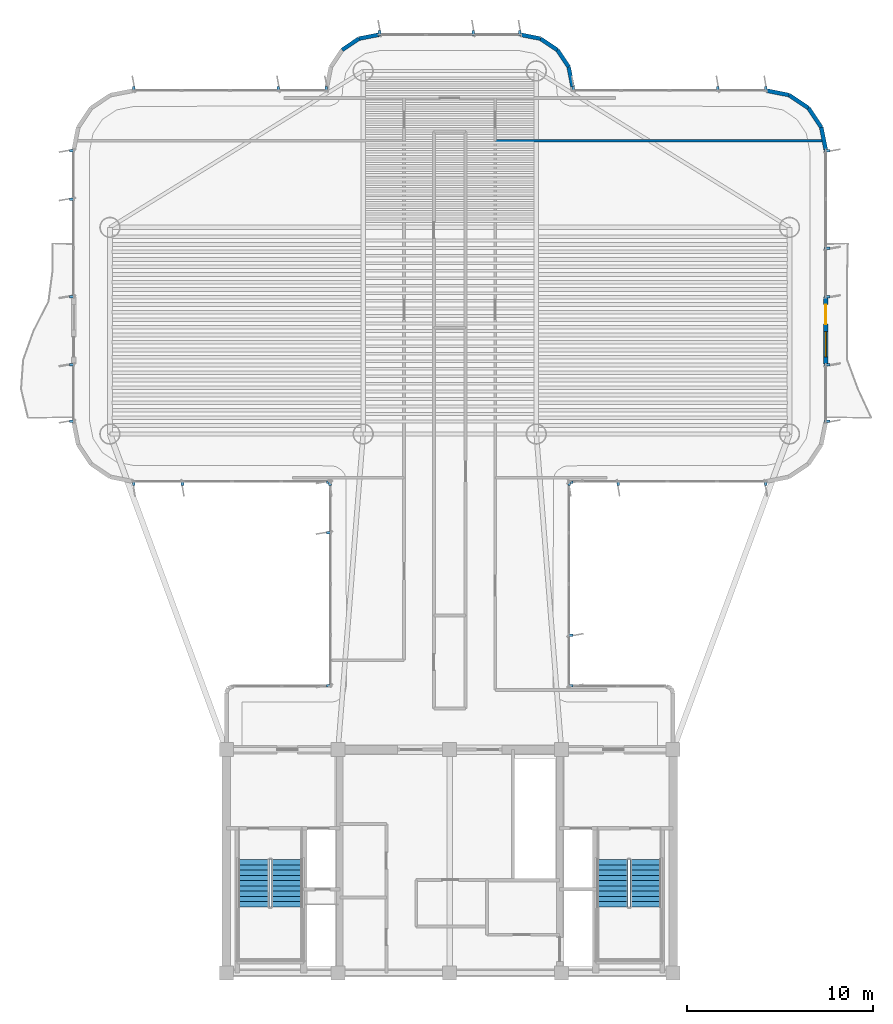
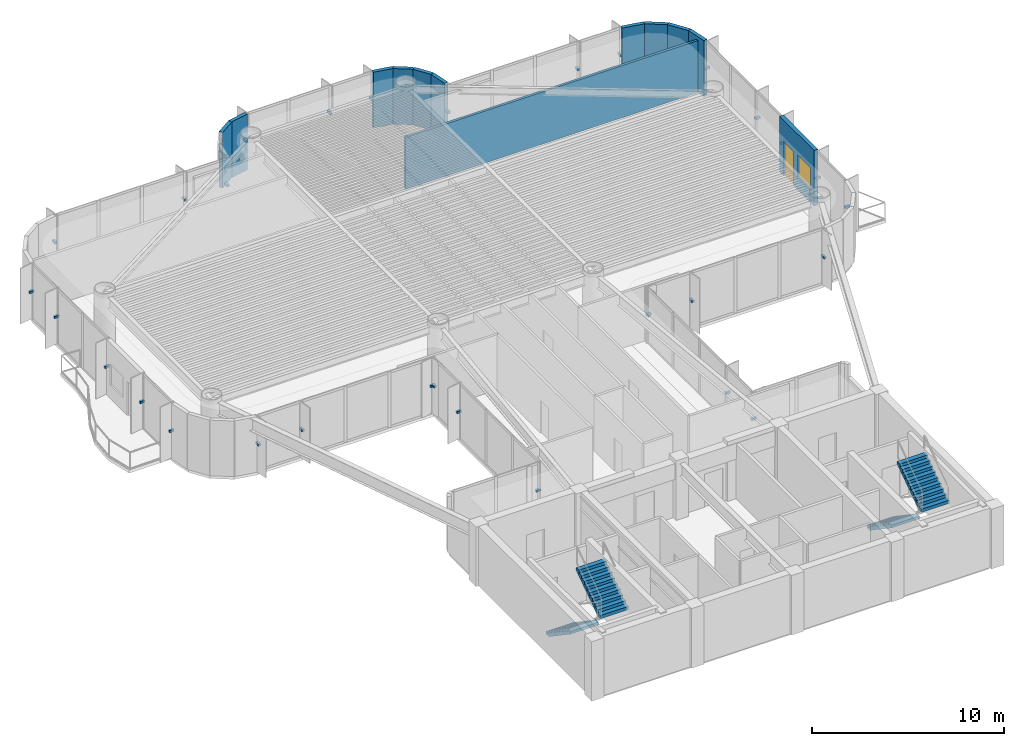
# One storey, part 11 of 13: 31 discrete accessories, 12 walls, 4 stair flights, 1 door, 1 window, 2 openings, 2 elements without a shape of their own.
"""IFC4 building model written with IfcOpenShell, lengths in metres."""

from ifc_helpers import new_model, si_unit, direction, frame, frame_2d, origin, origin_2d, place, context, subcontext, project, spatial, polyline, rectangle, outline, extrude, source, transform, mapped, material, layer, layer_set, type_object, element, fill, aggregate, save


model = new_model("IFC4")

# Units and contexts
model_context = context("Model", 3, precision=1e-05, world=origin(), true_north=direction((0.0, 1.0)))
body_context = subcontext(model_context, "Body", "Model", "MODEL_VIEW")
ifc_project = project(units=[si_unit("LENGTHUNIT", "METRE"), si_unit("AREAUNIT", "SQUARE_METRE"), si_unit("VOLUMEUNIT", "CUBIC_METRE"), si_unit("PLANEANGLEUNIT", "RADIAN"), si_unit("MASSUNIT", "GRAM", prefix="KILO")], contexts=[model_context])

# Site, building, storey
site_placement = place(None, origin())
site = spatial("IfcSite", under=ifc_project, at=site_placement, CompositionType="ELEMENT")
building_placement = place(site_placement, origin())
building = spatial("IfcBuilding", under=site, at=building_placement, Name="Brelvock Crest Care Tower", CompositionType="ELEMENT")
storey_placement = place(building_placement, frame((0.0, 0.0, 186.659912109375)))
storey = spatial("IfcBuildingStorey", under=building, at=storey_placement, Name="L47", CompositionType="ELEMENT", Elevation=186.659912109375)

# Wall, openings, door, window
ifc_material_1 = material(Name="Precast concrete N40 (40 MPa)", Category="concrete")
ifc_layer_1 = layer(ifc_material_1, 0.239990234375, Name="WL-EX1")
ifc_layer_set_1 = layer_set([ifc_layer_1], Name="Precast concrete N40 (40 MPa)")
wall_type_1 = type_object("IfcWallType", Name="WL-EX1", PredefinedType="SOLIDWALL", material=ifc_layer_set_1)
wall_1_placement = place(storey_placement, frame((56.199951171875, 42.300048828125, 0.0), z_axis=(0.0, 0.0, 1.0), x_axis=(0.0, -1.0, 0.0)))
wall_1 = element("IfcWall", 1, at=wall_1_placement, inside=storey, type_object=wall_type_1, Name="L47 Exterior Spandrel Wall WL-BAL-L47-E", PredefinedType="SOLIDWALL", context=body_context, shape_type="SweptSolid", body=[
    extrude(rectangle(XDim=3.60009765625, YDim=0.239990234375, at=frame_2d((1.800048828125, 0.0))), origin(), (0.0, 0.0, 1.0), 3.530029296875),
])
opening_1_placement = place(wall_1_placement, frame((0.39990234375, 0.0, 0.0)))
opening_1 = element("IfcOpeningElement", 2, at=opening_1_placement, cuts=wall_1, Name="Opening BD-1", PredefinedType="OPENING", context=body_context, shape_type="SweptSolid", body=[
    extrude(rectangle(XDim=1.050048828125, YDim=2.14990234375, at=origin_2d()), frame((0.52490234375, 0.1298828125, 1.074951171875), z_axis=(0.0, -1.0, 0.0), x_axis=(1.0, 0.0, 0.0)), (0.0, 0.0, 1.0), 0.260009765625),
])
opening_2_placement = place(wall_1_placement, frame((1.85009765625, 0.0, 0.85009765625)))
opening_2 = element("IfcOpeningElement", 3, at=opening_2_placement, cuts=wall_1, Name="Opening W-01", PredefinedType="OPENING", context=body_context, shape_type="SweptSolid", body=[
    extrude(rectangle(XDim=1.35009765625, YDim=1.35009765625, at=origin_2d()), frame((0.675048828125, 0.1298828125, 0.675048828125), z_axis=(0.0, -1.0, 0.0), x_axis=(1.0, 0.0, 0.0)), (0.0, 0.0, 1.0), 0.260009765625),
])
ifc_material_2 = material(Name="Dark Glass Double Glazed Low-E", Category="glass")
door_type = type_object("IfcDoorType", Name="DR-BAL1", OperationType="NOTDEFINED", PredefinedType="DOOR", material=ifc_material_2)
shared_shape_1 = source(origin(), body_context, "Body", "SweptSolid", [
    extrude(rectangle(XDim=1.050048828125, YDim=2.14990234375, at=origin_2d()), frame((0.52490234375, 0.02490234375, 1.074951171875), z_axis=(0.0, -1.0, 0.0), x_axis=(1.0, 0.0, 0.0)), (0.0, 0.0, 1.0), 0.050048828125),
])
door_placement = place(opening_1_placement, origin())
door = element("IfcDoor", 4, at=door_placement, inside=storey, type_object=door_type, Name="L47 E Wave Balcony Glazed Door", OperationType="SINGLE_SWING_RIGHT", OverallHeight=2.14990234375, OverallWidth=1.050048828125, PredefinedType="DOOR", context=body_context, shape_type="MappedRepresentation", body=[
    mapped(shared_shape_1, transform((0.0, 0.0, 0.0), x_axis=(1.0, 0.0, 0.0), y_axis=(0.0, 1.0, 0.0), z_axis=(0.0, 0.0, 1.0), scale=1.0)),
])
fill(opening_1, door)
window_type = type_object("IfcWindowType", Name="WN-EX1", PartitioningType="SINGLE_PANEL", PredefinedType="WINDOW", material=ifc_material_2)
shared_shape_2 = source(origin(), body_context, "Body", "SweptSolid", [
    extrude(rectangle(XDim=1.35009765625, YDim=1.35009765625, at=origin_2d()), frame((0.675048828125, 0.030029296875, 0.675048828125), z_axis=(0.0, -1.0, 0.0), x_axis=(1.0, 0.0, 0.0)), (0.0, 0.0, 1.0), 0.06005859375),
])
window_placement = place(opening_2_placement, origin())
window = element("IfcWindow", 5, at=window_placement, inside=storey, type_object=window_type, Name="L47 E Suite Casement Window", OverallHeight=1.35009765625, OverallWidth=1.35009765625, PartitioningType="SINGLE_PANEL", PredefinedType="WINDOW", context=body_context, shape_type="MappedRepresentation", body=[
    mapped(shared_shape_2, transform((0.0, 0.0, 0.0), x_axis=(1.0, 0.0, 0.0), y_axis=(0.0, 1.0, 0.0), z_axis=(0.0, 0.0, 1.0), scale=1.0)),
])
fill(opening_2, window)

# Walls
ifc_layer_2 = layer(ifc_material_1, 0.215087890625, Name="WL-EX2")
ifc_layer_set_2 = layer_set([ifc_layer_2], Name="Precast concrete N40 (40 MPa)")
wall_type_2 = type_object("IfcWallType", Name="WL-EX2", PredefinedType="SOLIDWALL", material=ifc_layer_set_2)
for number, where, z_axis, x_axis, name in (
    (6, (30.22021484375, 55.579833984375, 0.0), (0.0, 0.0, 1.0), (0.831327592857, 0.555782721353, 0.0), "L47 Rounded Corner Wall 26"),
    (7, (31.12841796875, 56.18701171875, 0.0), (0.0, 0.0, 1.0), (0.980829143587, 0.194869677195, 0.0), "L47 Rounded Corner Wall 27"),
    (8, (39.800048828125, 56.39990234375, 0.0), (0.0, 0.0, 1.0), (0.980829143587, -0.194869677195, 0.0), "L47 Rounded Corner Wall 29"),
    (9, (40.87158203125, 56.18701171875, 0.0), (0.0, 0.0, 1.0), (0.831327592857, -0.555782721353, 0.0), "L47 Rounded Corner Wall 30"),
):
    element("IfcWall", number, at=place(storey_placement, frame(where, z_axis=z_axis, x_axis=x_axis)), inside=storey, type_object=wall_type_2, Name=name, PredefinedType="SOLIDWALL", context=body_context, shape_type="SweptSolid", body=[
        extrude(rectangle(XDim=1.092529296875, YDim=0.215087890625, at=frame_2d((0.54638671875, 0.0))), origin(), (0.0, 0.0, 1.0), 3.530029296875),
    ])
wall_2_placement = place(storey_placement, frame((41.77978515625, 55.579833984375, 0.0), z_axis=(0.0, 0.0, 1.0), x_axis=(0.555679482341, -0.831396603857, 0.0)))
element("IfcWall", 10, at=wall_2_placement, inside=storey, type_object=wall_type_2, Name="L47 Rounded Corner Wall 31", PredefinedType="SOLIDWALL", context=body_context, shape_type="SweptSolid", body=[
    extrude(rectangle(XDim=1.0927734375, YDim=0.215087890625, at=frame_2d((0.54638671875, 0.0))), origin(), (0.0, 0.0, 1.0), 3.530029296875),
])
wall_3_placement = place(storey_placement, frame((42.386962890625, 54.67138671875, 0.0), z_axis=(0.0, 0.0, 1.0), x_axis=(0.195127417394, -0.980777900945, 0.0)))
element("IfcWall", 11, at=wall_3_placement, inside=storey, type_object=wall_type_2, Name="L47 Rounded Corner Wall 32", PredefinedType="SOLIDWALL", context=body_context, shape_type="SweptSolid", body=[
    extrude(rectangle(XDim=1.09228515625, YDim=0.215087890625, at=frame_2d((0.546142578125, 0.0))), origin(), (0.0, 0.0, 1.0), 3.530029296875),
])
for number, where, z_axis, x_axis, name in (
    (12, (53.0, 53.39990234375, 0.0), (0.0, 0.0, 1.0), (0.980813122964, -0.194950295773, 0.0), "L47 Rounded Corner Wall 35"),
    (13, (54.224609375, 53.156494140625, 0.0), (0.0, 0.0, 1.0), (0.831387912822, -0.555692485475, 0.0), "L47 Rounded Corner Wall 36"),
    (14, (55.2626953125, 52.462646484375, 0.0), (0.0, 0.0, 1.0), (0.555557312883, -0.831478245117, 0.0), "L47 Rounded Corner Wall 37"),
    (15, (55.956298828125, 51.424560546875, 0.0), (0.0, 0.0, 1.0), (0.195138390419, -0.980775717779, 0.0), "L47 Rounded Corner Wall 38"),
):
    element("IfcWall", number, at=place(storey_placement, frame(where, z_axis=z_axis, x_axis=x_axis)), inside=storey, type_object=wall_type_2, Name=name, PredefinedType="SOLIDWALL", context=body_context, shape_type="SweptSolid", body=[
        extrude(rectangle(XDim=1.24853515625, YDim=0.215087890625, at=frame_2d((0.624267578125, 0.0))), origin(), (0.0, 0.0, 1.0), 3.530029296875),
    ])
ifc_material_3 = material(Name="Masonry Blockwork Acoustic Partition", Category="masonry")
ifc_layer_3 = layer(ifc_material_3, 0.14990234375, Name="WL-INT1")
ifc_layer_set_3 = layer_set([ifc_layer_3], Name="Masonry Blockwork Acoustic Partition")
wall_type_3 = type_object("IfcWallType", Name="WL-INT1", PredefinedType="PARTITIONING", material=ifc_layer_set_3)
wall_4_placement = place(storey_placement, frame((38.449951171875, 50.699951171875, 0.0), z_axis=(0.0, 0.0, 1.0), x_axis=(1.0, 0.0, 0.0)))
element("IfcWall", 16, at=wall_4_placement, inside=storey, type_object=wall_type_3, Name="L47 Interior Wall WL-BX-L47-ECLB-N", PredefinedType="PARTITIONING", context=body_context, shape_type="SweptSolid", body=[
    extrude(rectangle(XDim=17.569091796875, YDim=0.14990234375, at=frame_2d((8.78466796875, 0.0))), origin(), (0.0, 0.0, 1.0), 3.30810546875),
])

# Stair, stair flights
ifc_material_4 = material(Name="Concrete N40 (40 MPa)", Category="concrete")
stair_type = type_object("IfcStairType", Name="ST-CORE1", PredefinedType="HALF_TURN_STAIR", material=ifc_material_4)
stair_1_placement = place(storey_placement, origin())
stair_1 = element("IfcStair", 17, at=stair_1_placement, inside=storey, type_object=stair_type, Name="L47 Fire-Isolated Core Stair ST-1", PredefinedType="HALF_TURN_STAIR")
stair_flight_type = type_object("IfcStairFlightType", Name="STF-1", PredefinedType="STRAIGHT", material=ifc_material_4)
stair_flight_1_placement = place(storey_placement, frame((25.469970703125, 12.080078125, 0.0), z_axis=(0.0, 0.0, 1.0), x_axis=(0.0, -1.0, 0.0)))
stair_flight_1 = element("IfcStairFlight", 18, at=stair_flight_1_placement, type_object=stair_flight_type, Name="ST-1 flight 1", NumberOfRisers=10, NumberOfTreads=9, PredefinedType="STRAIGHT", RiserHeight=0.189, TreadLength=0.28, context=body_context, shape_type="SweptSolid", body=[
    extrude(outline(polyline([(-0.00390625, -0.014892578125), (-0.00390625, -0.0078125), (-0.00390625, -0.00048828125), (-0.00390625, 0.0068359375), (-0.00390625, 0.01416015625), (-0.00390625, 0.021484375), (-0.00390625, 0.02880859375), (-0.00390625, 0.035888671875), (-0.00390625, 0.043212890625), (-0.00390625, 0.050537109375), (-0.00390625, 0.057861328125), (-0.00390625, 0.065185546875), (-0.00390625, 0.072509765625), (-0.00390625, 0.07958984375), (-0.00390625, 0.0869140625), (-0.00390625, 0.09423828125), (-0.00390625, 0.1015625), (-0.00390625, 0.10888671875), (-0.00390625, 0.1162109375), (-0.00390625, 0.12353515625), (-0.00390625, 0.130615234375), (-0.00390625, 0.137939453125), (-0.00390625, 0.145263671875), (-0.00390625, 0.152587890625), (-0.00390625, 0.159912109375), (-0.00390625, 0.167236328125), (-0.00390625, 0.17431640625), (-0.00390625, 0.181640625), (-0.00390625, 0.18896484375), (0.0, 0.18896484375), (0.280029296875, 0.18896484375), (0.280029296875, 0.3779296875), (0.56005859375, 0.3779296875), (0.56005859375, 0.56689453125), (0.840087890625, 0.56689453125), (0.840087890625, 0.756103515625), (1.1201171875, 0.756103515625), (1.1201171875, 0.945068359375), (1.39990234375, 0.945068359375), (1.39990234375, 1.134033203125), (1.679931640625, 1.134033203125), (1.679931640625, 1.322998046875), (1.9599609375, 1.322998046875), (1.9599609375, 1.511962890625), (2.239990234375, 1.511962890625), (2.239990234375, 1.700927734375), (2.52001953125, 1.700927734375), (2.52392578125, 1.700927734375), (2.523681640625, 1.70068359375), (2.52392578125, 1.700439453125), (2.523681640625, 1.699951171875), (2.52392578125, 1.69970703125), (2.523681640625, 1.699462890625), (2.52392578125, 1.698974609375), (2.523681640625, 1.69873046875), (2.52392578125, 1.698486328125), (2.523681640625, 1.697998046875), (2.52392578125, 1.69775390625), (2.523681640625, 1.697509765625), (2.52392578125, 1.697021484375), (2.523681640625, 1.69677734375), (2.52392578125, 1.696533203125), (2.523681640625, 1.6962890625), (2.52392578125, 1.69580078125), (2.523681640625, 1.695556640625), (2.52392578125, 1.6953125), (2.523681640625, 1.69482421875), (2.52392578125, 1.694580078125), (2.523681640625, 1.6943359375), (2.52392578125, 1.69384765625), (2.523681640625, 1.693603515625), (2.52392578125, 1.693359375), (2.523681640625, 1.69287109375), (2.52392578125, 1.692626953125), (2.523681640625, 1.6923828125), (2.52392578125, 1.69189453125), (2.52001953125, 1.520263671875), (0.267822265625, 0.0), (0.0, 0.0), (0.0, -0.014892578125), (-0.00390625, -0.014892578125)])), frame((0.0, 0.83984375, 0.0), z_axis=(0.0, -1.0, 0.0), x_axis=(1.0, 0.0, 0.0)), (0.0, 0.0, 1.0), 1.679931640625),
])
stair_flight_2_placement = place(storey_placement, frame((27.27001953125, 9.56005859375, 1.89013671875), z_axis=(0.0, 0.0, 1.0), x_axis=(0.0, 1.0, 0.0)))
stair_flight_2 = element("IfcStairFlight", 19, at=stair_flight_2_placement, type_object=stair_flight_type, Name="ST-1 flight 2", NumberOfRisers=10, NumberOfTreads=9, PredefinedType="STRAIGHT", RiserHeight=0.189, TreadLength=0.28, context=body_context, shape_type="SweptSolid", body=[
    extrude(outline(polyline([(-0.00390625, -0.014892578125), (-0.00390625, -0.0078125), (-0.00390625, -0.00048828125), (-0.00390625, 0.0068359375), (-0.00390625, 0.01416015625), (-0.00390625, 0.021484375), (-0.00390625, 0.02880859375), (-0.00390625, 0.035888671875), (-0.00390625, 0.043212890625), (-0.00390625, 0.050537109375), (-0.00390625, 0.057861328125), (-0.00390625, 0.065185546875), (-0.00390625, 0.072509765625), (-0.00390625, 0.07958984375), (-0.00390625, 0.0869140625), (-0.00390625, 0.09423828125), (-0.00390625, 0.1015625), (-0.00390625, 0.10888671875), (-0.00390625, 0.1162109375), (-0.00390625, 0.12353515625), (-0.00390625, 0.130615234375), (-0.00390625, 0.137939453125), (-0.00390625, 0.145263671875), (-0.00390625, 0.152587890625), (-0.00390625, 0.159912109375), (-0.00390625, 0.167236328125), (-0.00390625, 0.17431640625), (-0.00390625, 0.181640625), (-0.00390625, 0.18896484375), (0.0, 0.18896484375), (0.280029296875, 0.18896484375), (0.280029296875, 0.3779296875), (0.56005859375, 0.3779296875), (0.56005859375, 0.56689453125), (0.840087890625, 0.56689453125), (0.840087890625, 0.756103515625), (1.1201171875, 0.756103515625), (1.1201171875, 0.945068359375), (1.39990234375, 0.945068359375), (1.39990234375, 1.134033203125), (1.679931640625, 1.134033203125), (1.679931640625, 1.322998046875), (1.9599609375, 1.322998046875), (1.9599609375, 1.511962890625), (2.239990234375, 1.511962890625), (2.239990234375, 1.700927734375), (2.52001953125, 1.700927734375), (2.52392578125, 1.700927734375), (2.523681640625, 1.70068359375), (2.52392578125, 1.700439453125), (2.523681640625, 1.699951171875), (2.52392578125, 1.69970703125), (2.523681640625, 1.699462890625), (2.52392578125, 1.698974609375), (2.523681640625, 1.69873046875), (2.52392578125, 1.698486328125), (2.523681640625, 1.697998046875), (2.52392578125, 1.69775390625), (2.523681640625, 1.697509765625), (2.52392578125, 1.697021484375), (2.523681640625, 1.69677734375), (2.52392578125, 1.696533203125), (2.523681640625, 1.6962890625), (2.52392578125, 1.69580078125), (2.523681640625, 1.695556640625), (2.52392578125, 1.6953125), (2.523681640625, 1.69482421875), (2.52392578125, 1.694580078125), (2.523681640625, 1.6943359375), (2.52392578125, 1.69384765625), (2.523681640625, 1.693603515625), (2.52392578125, 1.693359375), (2.523681640625, 1.69287109375), (2.52392578125, 1.692626953125), (2.523681640625, 1.6923828125), (2.52392578125, 1.69189453125), (2.52001953125, 1.520263671875), (0.267822265625, 0.0), (0.0, 0.0), (0.0, -0.014892578125), (-0.00390625, -0.014892578125)])), frame((0.0, 0.83984375, 0.0), z_axis=(0.0, -1.0, 0.0), x_axis=(1.0, 0.0, 0.0)), (0.0, 0.0, 1.0), 1.679931640625),
])
aggregate(stair_1, [stair_flight_1, stair_flight_2])

stair_2_placement = place(storey_placement, origin())
stair_2 = element("IfcStair", 20, at=stair_2_placement, inside=storey, type_object=stair_type, Name="L47 Fire-Isolated Core Stair ST-2", PredefinedType="HALF_TURN_STAIR")
stair_flight_3_placement = place(storey_placement, frame((44.72998046875, 12.080078125, 0.0), z_axis=(0.0, 0.0, 1.0), x_axis=(0.0, -1.0, 0.0)))
stair_flight_3 = element("IfcStairFlight", 21, at=stair_flight_3_placement, type_object=stair_flight_type, Name="ST-2 flight 1", NumberOfRisers=10, NumberOfTreads=9, PredefinedType="STRAIGHT", RiserHeight=0.189, TreadLength=0.28, context=body_context, shape_type="SweptSolid", body=[
    extrude(outline(polyline([(-0.00390625, -0.014892578125), (-0.00390625, -0.0078125), (-0.00390625, -0.00048828125), (-0.00390625, 0.0068359375), (-0.00390625, 0.01416015625), (-0.00390625, 0.021484375), (-0.00390625, 0.02880859375), (-0.00390625, 0.035888671875), (-0.00390625, 0.043212890625), (-0.00390625, 0.050537109375), (-0.00390625, 0.057861328125), (-0.00390625, 0.065185546875), (-0.00390625, 0.072509765625), (-0.00390625, 0.07958984375), (-0.00390625, 0.0869140625), (-0.00390625, 0.09423828125), (-0.00390625, 0.1015625), (-0.00390625, 0.10888671875), (-0.00390625, 0.1162109375), (-0.00390625, 0.12353515625), (-0.00390625, 0.130615234375), (-0.00390625, 0.137939453125), (-0.00390625, 0.145263671875), (-0.00390625, 0.152587890625), (-0.00390625, 0.159912109375), (-0.00390625, 0.167236328125), (-0.00390625, 0.17431640625), (-0.00390625, 0.181640625), (-0.00390625, 0.18896484375), (0.0, 0.18896484375), (0.280029296875, 0.18896484375), (0.280029296875, 0.3779296875), (0.56005859375, 0.3779296875), (0.56005859375, 0.56689453125), (0.840087890625, 0.56689453125), (0.840087890625, 0.756103515625), (1.1201171875, 0.756103515625), (1.1201171875, 0.945068359375), (1.39990234375, 0.945068359375), (1.39990234375, 1.134033203125), (1.679931640625, 1.134033203125), (1.679931640625, 1.322998046875), (1.9599609375, 1.322998046875), (1.9599609375, 1.511962890625), (2.239990234375, 1.511962890625), (2.239990234375, 1.700927734375), (2.52001953125, 1.700927734375), (2.52392578125, 1.700927734375), (2.523681640625, 1.70068359375), (2.52392578125, 1.700439453125), (2.523681640625, 1.699951171875), (2.52392578125, 1.69970703125), (2.523681640625, 1.699462890625), (2.52392578125, 1.698974609375), (2.523681640625, 1.69873046875), (2.52392578125, 1.698486328125), (2.523681640625, 1.697998046875), (2.52392578125, 1.69775390625), (2.523681640625, 1.697509765625), (2.52392578125, 1.697021484375), (2.523681640625, 1.69677734375), (2.52392578125, 1.696533203125), (2.523681640625, 1.6962890625), (2.52392578125, 1.69580078125), (2.523681640625, 1.695556640625), (2.52392578125, 1.6953125), (2.523681640625, 1.69482421875), (2.52392578125, 1.694580078125), (2.523681640625, 1.6943359375), (2.52392578125, 1.69384765625), (2.523681640625, 1.693603515625), (2.52392578125, 1.693359375), (2.523681640625, 1.69287109375), (2.52392578125, 1.692626953125), (2.523681640625, 1.6923828125), (2.52392578125, 1.69189453125), (2.52001953125, 1.520263671875), (0.267822265625, 0.0), (0.0, 0.0), (0.0, -0.014892578125), (-0.00390625, -0.014892578125)])), frame((0.0, 0.83984375, 0.0), z_axis=(0.0, -1.0, 0.0), x_axis=(1.0, 0.0, 0.0)), (0.0, 0.0, 1.0), 1.679931640625),
])
stair_flight_4_placement = place(storey_placement, frame((46.530029296875, 9.56005859375, 1.89013671875), z_axis=(0.0, 0.0, 1.0), x_axis=(0.0, 1.0, 0.0)))
stair_flight_4 = element("IfcStairFlight", 22, at=stair_flight_4_placement, type_object=stair_flight_type, Name="ST-2 flight 2", NumberOfRisers=10, NumberOfTreads=9, PredefinedType="STRAIGHT", RiserHeight=0.189, TreadLength=0.28, context=body_context, shape_type="SweptSolid", body=[
    extrude(outline(polyline([(-0.00390625, -0.014892578125), (-0.00390625, -0.0078125), (-0.00390625, -0.00048828125), (-0.00390625, 0.0068359375), (-0.00390625, 0.01416015625), (-0.00390625, 0.021484375), (-0.00390625, 0.02880859375), (-0.00390625, 0.035888671875), (-0.00390625, 0.043212890625), (-0.00390625, 0.050537109375), (-0.00390625, 0.057861328125), (-0.00390625, 0.065185546875), (-0.00390625, 0.072509765625), (-0.00390625, 0.07958984375), (-0.00390625, 0.0869140625), (-0.00390625, 0.09423828125), (-0.00390625, 0.1015625), (-0.00390625, 0.10888671875), (-0.00390625, 0.1162109375), (-0.00390625, 0.12353515625), (-0.00390625, 0.130615234375), (-0.00390625, 0.137939453125), (-0.00390625, 0.145263671875), (-0.00390625, 0.152587890625), (-0.00390625, 0.159912109375), (-0.00390625, 0.167236328125), (-0.00390625, 0.17431640625), (-0.00390625, 0.181640625), (-0.00390625, 0.18896484375), (0.0, 0.18896484375), (0.280029296875, 0.18896484375), (0.280029296875, 0.3779296875), (0.56005859375, 0.3779296875), (0.56005859375, 0.56689453125), (0.840087890625, 0.56689453125), (0.840087890625, 0.756103515625), (1.1201171875, 0.756103515625), (1.1201171875, 0.945068359375), (1.39990234375, 0.945068359375), (1.39990234375, 1.134033203125), (1.679931640625, 1.134033203125), (1.679931640625, 1.322998046875), (1.9599609375, 1.322998046875), (1.9599609375, 1.511962890625), (2.239990234375, 1.511962890625), (2.239990234375, 1.700927734375), (2.52001953125, 1.700927734375), (2.52392578125, 1.700927734375), (2.523681640625, 1.70068359375), (2.52392578125, 1.700439453125), (2.523681640625, 1.699951171875), (2.52392578125, 1.69970703125), (2.523681640625, 1.699462890625), (2.52392578125, 1.698974609375), (2.523681640625, 1.69873046875), (2.52392578125, 1.698486328125), (2.523681640625, 1.697998046875), (2.52392578125, 1.69775390625), (2.523681640625, 1.697509765625), (2.52392578125, 1.697021484375), (2.523681640625, 1.69677734375), (2.52392578125, 1.696533203125), (2.523681640625, 1.6962890625), (2.52392578125, 1.69580078125), (2.523681640625, 1.695556640625), (2.52392578125, 1.6953125), (2.523681640625, 1.69482421875), (2.52392578125, 1.694580078125), (2.523681640625, 1.6943359375), (2.52392578125, 1.69384765625), (2.523681640625, 1.693603515625), (2.52392578125, 1.693359375), (2.523681640625, 1.69287109375), (2.52392578125, 1.692626953125), (2.523681640625, 1.6923828125), (2.52392578125, 1.69189453125), (2.52001953125, 1.520263671875), (0.267822265625, 0.0), (0.0, 0.0), (0.0, -0.014892578125), (-0.00390625, -0.014892578125)])), frame((0.0, 0.83984375, 0.0), z_axis=(0.0, -1.0, 0.0), x_axis=(1.0, 0.0, 0.0)), (0.0, 0.0, 1.0), 1.679931640625),
])
aggregate(stair_2, [stair_flight_3, stair_flight_4])

# Discrete accessories
ifc_material_5 = material(Name="Steel Grade 350", Category="steel")
discrete_accessory_type = type_object("IfcDiscreteAccessoryType", Name="ACC-BRK1", PredefinedType="BRACKET", material=ifc_material_5)
shared_shape_3 = source(origin(), body_context, "Body", "SweptSolid", [
    extrude(rectangle(XDim=0.280029296875, YDim=0.139892578125, at=origin_2d()), origin(), (0.0, 0.0, 1.0), 0.139892578125),
])
for number, where, z_axis, x_axis, name in (
    (23, (29.52001953125, 21.429931640625, 1.6953125), (0.0, 0.0, 1.0), (-1.0, 0.0, 0.0), "L47 Facade Fin Bracket E11-01"),
    (24, (29.52001953125, 29.64990234375, 1.6953125), (0.0, 0.0, 1.0), (-1.0, 0.0, 0.0), "L47 Facade Fin Bracket E11-04"),
    (25, (29.52001953125, 32.3701171875, 1.6953125), (0.0, 0.0, 1.0), (-1.0, 0.0, 0.0), "L47 Facade Fin Bracket E11-05"),
    (26, (29.570068359375, 32.320068359375, 1.6953125), (0.0, 0.0, 1.0), (0.0, -1.0, 0.0), "L47 Facade Fin Bracket E12-01"),
    (27, (21.64990234375, 32.320068359375, 1.6953125), (0.0, 0.0, 1.0), (0.0, -1.0, 0.0), "L47 Facade Fin Bracket E12-04"),
    (28, (19.030029296875, 32.320068359375, 1.6953125), (0.0, 0.0, 1.0), (0.0, -1.0, 0.0), "L47 Facade Fin Bracket E12-05"),
    (29, (15.719970703125, 35.6298828125, 1.6953125), (0.0, 0.0, 1.0), (-1.0, 0.0, 0.0), "L47 Facade Fin Bracket E17A-01"),
    (30, (15.719970703125, 38.669921875, 1.6953125), (0.0, 0.0, 1.0), (-1.0, 0.0, 0.0), "L47 Facade Fin Bracket E17A-02"),
    (31, (15.719970703125, 42.330078125, 1.6953125), (0.0, 0.0, 1.0), (-1.0, 0.0, 0.0), "L47 Facade Fin Bracket E17B-01"),
    (32, (15.719970703125, 47.566650390625, 1.6953125), (0.0, 0.0, 1.0), (-1.0, 0.0, 0.0), "L47 Facade Fin Bracket E17B-03"),
    (33, (15.719970703125, 50.169921875, 1.6953125), (0.0, 0.0, 1.0), (-1.0, 0.0, 0.0), "L47 Facade Fin Bracket E17B-04"),
    (34, (19.030029296875, 53.47998046875, 1.6953125), (0.0, 0.0, 1.0), (0.0, 1.0, 0.0), "L47 Facade Fin Bracket E22-01"),
    (35, (26.800048828125, 53.47998046875, 1.6953125), (0.0, 0.0, 1.0), (0.0, 1.0, 0.0), "L47 Facade Fin Bracket E22-04"),
    (36, (29.3701171875, 53.47998046875, 1.6953125), (0.0, 0.0, 1.0), (0.0, 1.0, 0.0), "L47 Facade Fin Bracket E22-05"),
    (37, (32.22998046875, 56.47998046875, 1.6953125), (0.0, 0.0, 1.0), (0.0, 1.0, 0.0), "L47 Facade Fin Bracket E28-01"),
    (38, (37.2666015625, 56.47998046875, 1.6953125), (0.0, 0.0, 1.0), (0.0, 1.0, 0.0), "L47 Facade Fin Bracket E28-03"),
    (39, (39.77001953125, 56.47998046875, 1.6953125), (0.0, 0.0, 1.0), (0.0, 1.0, 0.0), "L47 Facade Fin Bracket E28-04"),
    (40, (42.6298828125, 53.47998046875, 1.6953125), (0.0, 0.0, 1.0), (0.0, 1.0, 0.0), "L47 Facade Fin Bracket E34-01"),
    (41, (50.39990234375, 53.47998046875, 1.6953125), (0.0, 0.0, 1.0), (0.0, 1.0, 0.0), "L47 Facade Fin Bracket E34-04"),
    (42, (52.969970703125, 53.47998046875, 1.6953125), (0.0, 0.0, 1.0), (0.0, 1.0, 0.0), "L47 Facade Fin Bracket E34-05"),
    (43, (56.280029296875, 50.169921875, 1.6953125), (0.0, 0.0, 1.0), (1.0, 0.0, 0.0), "L47 Facade Fin Bracket E39A-01"),
    (44, (56.280029296875, 44.933349609375, 1.6953125), (0.0, 0.0, 1.0), (1.0, 0.0, 0.0), "L47 Facade Fin Bracket E39A-03"),
    (45, (56.280029296875, 42.330078125, 1.6953125), (0.0, 0.0, 1.0), (1.0, 0.0, 0.0), "L47 Facade Fin Bracket E39A-04"),
    (46, (56.280029296875, 38.669921875, 1.6953125), (0.0, 0.0, 1.0), (1.0, 0.0, 0.0), "L47 Facade Fin Bracket E39B-01"),
    (47, (56.280029296875, 35.6298828125, 1.6953125), (0.0, 0.0, 1.0), (1.0, 0.0, 0.0), "L47 Facade Fin Bracket E39B-02"),
    (48, (52.969970703125, 32.320068359375, 1.6953125), (0.0, 0.0, 1.0), (0.0, -1.0, 0.0), "L47 Facade Fin Bracket E44-01"),
    (49, (45.050048828125, 32.320068359375, 1.6953125), (0.0, 0.0, 1.0), (0.0, -1.0, 0.0), "L47 Facade Fin Bracket E44-04"),
    (50, (42.429931640625, 32.320068359375, 1.6953125), (0.0, 0.0, 1.0), (0.0, -1.0, 0.0), "L47 Facade Fin Bracket E44-05"),
    (51, (42.47998046875, 32.3701171875, 1.6953125), (0.0, 0.0, 1.0), (1.0, 0.0, 0.0), "L47 Facade Fin Bracket E45-01"),
    (52, (42.47998046875, 24.14990234375, 1.6953125), (0.0, 0.0, 1.0), (1.0, 0.0, 0.0), "L47 Facade Fin Bracket E45-04"),
    (53, (42.47998046875, 21.429931640625, 1.6953125), (0.0, 0.0, 1.0), (1.0, 0.0, 0.0), "L47 Facade Fin Bracket E45-05"),
):
    element("IfcDiscreteAccessory", number, at=place(storey_placement, frame(where, z_axis=z_axis, x_axis=x_axis)), inside=storey, type_object=discrete_accessory_type, Name=name, PredefinedType="BRACKET", context=body_context, shape_type="MappedRepresentation", body=[
        mapped(shared_shape_3, transform((0.0, 0.0, 0.0), x_axis=(1.0, 0.0, 0.0), y_axis=(0.0, 1.0, 0.0), z_axis=(0.0, 0.0, 1.0), scale=1.0)),
    ])

save(model, "model.ifc")
